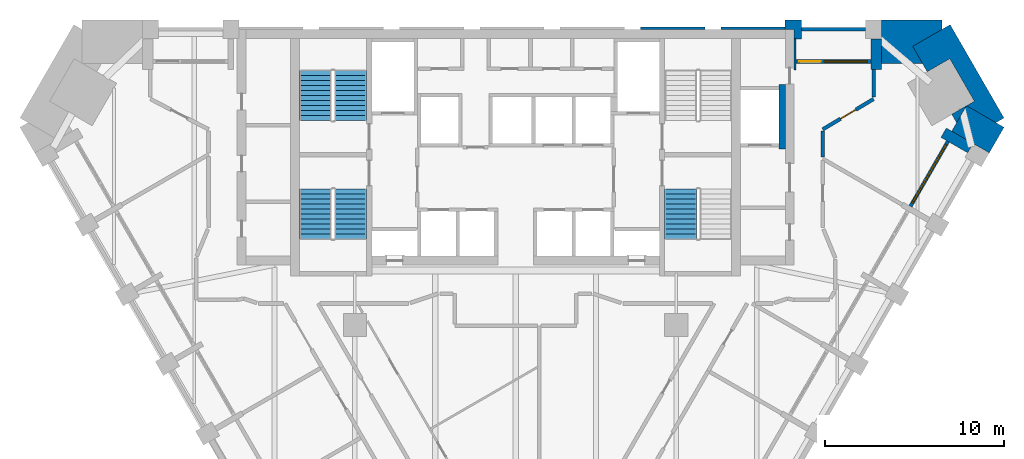
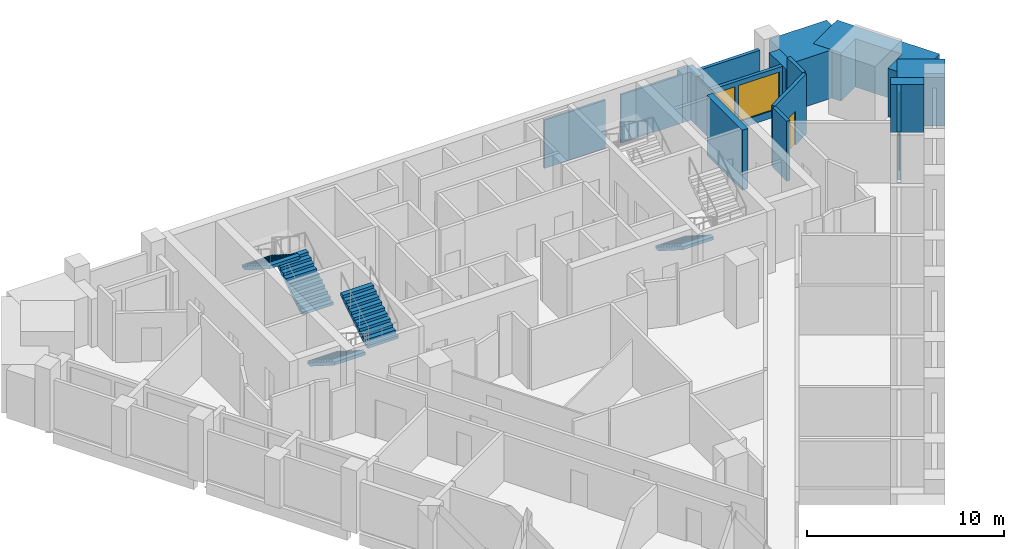
# One storey, part 8 of 10: 17 walls, 5 stair flights, 2 doors, 2 windows, 4 openings, 3 elements without a shape of their own.
"""IFC4 building model written with IfcOpenShell, lengths in metres."""

from ifc_helpers import new_model, si_unit, direction, frame, frame_2d, origin, place, context, subcontext, project, spatial, polyline, rectangle, outline, extrude, faceted_brep, source, transform, mapped, material, layer, layer_set, type_object, element, fill, aggregate, save


model = new_model("IFC4")

# Units and contexts
model_context = context("Model", 3, precision=1e-05, world=origin(), true_north=direction((0.0, 1.0)))
body_context = subcontext(model_context, "Body", "Model", "MODEL_VIEW")
ifc_project = project(units=[si_unit("LENGTHUNIT", "METRE"), si_unit("AREAUNIT", "SQUARE_METRE"), si_unit("VOLUMEUNIT", "CUBIC_METRE"), si_unit("PLANEANGLEUNIT", "RADIAN"), si_unit("MASSUNIT", "GRAM", prefix="KILO")], contexts=[model_context])

# Site, building, storey
site_placement = place(None, origin())
site = spatial("IfcSite", under=ifc_project, at=site_placement, CompositionType="ELEMENT")
building_placement = place(site_placement, origin())
building = spatial("IfcBuilding", under=site, at=building_placement, Name="Calabash Gate Tower", CompositionType="ELEMENT")
storey_placement = place(building_placement, frame((0.0, 0.0, 148.5)))
storey = spatial("IfcBuildingStorey", under=building, at=storey_placement, Name="L34", CompositionType="ELEMENT", Elevation=148.5)

# Walls
ifc_material_1 = material(Name="Terracotta brick masonry, exposed face", Category="masonry")
ifc_layer_1 = layer(ifc_material_1, 2.425048828125)
ifc_layer_set_1 = layer_set([ifc_layer_1], Name="Brick corner mass wall 2425")
wall_type_1 = type_object("IfcWallType", Name="Brick corner mass wall 2425", PredefinedType="SOLIDWALL", material=ifc_layer_set_1)
wall_1_placement = place(storey_placement, origin())
element("IfcWall", 1, at=wall_1_placement, inside=storey, type_object=wall_type_1, Name="Brick corner pier S09 3a", PredefinedType="SOLIDWALL", context=body_context, shape_type="SweptSolid", body=[
    extrude(outline(polyline([(25.24560546875, 14.77099609375), (24.425048828125, 13.349853515625), (25.6162109375, 12.662109375), (25.616455078125, 12.662109375), (26.525146484375, 12.137451171875), (27.350341796875, 13.566650390625), (25.255126953125, 14.7763671875), (25.24560546875, 14.77099609375)])), origin(), (0.0, 0.0, 1.0), 3.0),
])
wall_2_placement = place(storey_placement, origin())
element("IfcWall", 2, at=wall_2_placement, inside=storey, type_object=wall_type_1, Name="Brick corner pier S09 3ba", PredefinedType="SOLIDWALL", context=body_context, shape_type="SweptSolid", body=[
    extrude(outline(polyline([(25.24560546875, 14.77099609375), (24.429931640625, 14.300048828125), (24.701904296875, 13.8291015625), (25.24560546875, 14.77099609375)])), origin(), (0.0, 0.0, 1.0), 3.0),
])
wall_3_placement = place(storey_placement, origin())
element("IfcWall", 3, at=wall_3_placement, inside=storey, type_object=wall_type_1, Name="Brick corner pier S09 3bb", PredefinedType="SOLIDWALL", context=body_context, shape_type="SweptSolid", body=[
    extrude(outline(polyline([(24.315185546875, 17.4091796875), (25.690185546875, 15.02783203125), (25.255126953125, 14.7763671875), (26.895751953125, 13.8291015625), (27.350341796875, 14.091552734375), (24.334716796875, 19.31494140625), (22.234619140625, 18.1025390625), (23.054931640625, 16.681640625), (24.315185546875, 17.4091796875)])), origin(), (0.0, 0.0, 1.0), 3.0),
])
wall_4_placement = place(storey_placement, origin())
element("IfcWall", 4, at=wall_4_placement, inside=storey, type_object=wall_type_1, Name="Brick corner pier S09 3c", PredefinedType="SOLIDWALL", context=body_context, shape_type="SweptSolid", body=[
    extrude(outline(polyline([(20.495361328125, 18.528076171875), (20.495361328125, 17.152587890625), (22.782958984375, 17.152587890625), (22.234619140625, 18.1025390625), (23.880126953125, 19.052490234375), (23.880126953125, 19.57763671875), (20.4970703125, 19.57763671875), (20.4970703125, 18.528076171875), (20.495361328125, 18.528076171875)])), origin(), (0.0, 0.0, 1.0), 3.0),
])
ifc_material_2 = material(Name="Terracotta brick masonry, exposed face", Category="masonry")
ifc_layer_2 = layer(ifc_material_2, 1.050048828125)
ifc_layer_set_2 = layer_set([ifc_layer_2], Name="Brick end wall 1050")
wall_type_2 = type_object("IfcWallType", Name="Brick end wall 1050", PredefinedType="SOLIDWALL", material=ifc_layer_set_2)
wall_5_placement = place(storey_placement, origin())
element("IfcWall", 5, at=wall_5_placement, inside=storey, type_object=wall_type_2, Name="Brick pier S09 N6.1", PredefinedType="SOLIDWALL", context=body_context, shape_type="SweptSolid", body=[
    extrude(outline(polyline([(15.995361328125, 18.527587890625), (15.995361328125, 19.57763671875), (15.09521484375, 19.57763671875), (15.09521484375, 19.052490234375), (15.60009765625, 19.052490234375), (15.60009765625, 18.527587890625), (15.995361328125, 18.527587890625)])), origin(), (0.0, 0.0, 1.0), 3.0),
])
ifc_material_3 = material(Name="Terracotta brick masonry, exposed face", Category="masonry")
ifc_layer_3 = layer(ifc_material_3, 0.300048828125)
ifc_layer_set_3 = layer_set([ifc_layer_3], Name="Brick loggia cheek wall 300")
wall_type_3 = type_object("IfcWallType", Name="Brick loggia cheek wall 300", PredefinedType="SOLIDWALL", material=ifc_layer_set_3)
wall_6_placement = place(storey_placement, frame((25.4658203125, 12.402587890625, 0.0), z_axis=(0.0, 0.0, 1.0), x_axis=(-0.866074815912, 0.499914405916, 0.0)))
element("IfcWall", 6, at=wall_6_placement, inside=storey, type_object=wall_type_3, Name="Loggia cheek S09 SE4.8", PredefinedType="SOLIDWALL", context=body_context, shape_type="SweptSolid", body=[
    extrude(rectangle(XDim=1.724853515625, YDim=0.60009765625, at=frame_2d((0.8623046875, 0.0))), origin(), (0.0, 0.0, 1.0), 3.0),
])
wall_7_placement = place(storey_placement, origin())
element("IfcWall", 7, at=wall_7_placement, inside=storey, type_object=wall_type_3, Name="Loggia cheek S09 N6.0", PredefinedType="SOLIDWALL", context=body_context, shape_type="SweptSolid", body=[
    extrude(outline(polyline([(20.495361328125, 16.802490234375), (20.495361328125, 18.527587890625), (19.895263671875, 18.527587890625), (19.895263671875, 16.802490234375), (20.495361328125, 16.802490234375)])), origin(), (0.0, 0.0, 1.0), 3.0),
])
wall_8_placement = place(storey_placement, origin())
element("IfcWall", 8, at=wall_8_placement, inside=storey, type_object=wall_type_3, Name="Loggia cheek S09 N6.1", PredefinedType="SOLIDWALL", context=body_context, shape_type="SweptSolid", body=[
    extrude(outline(polyline([(15.6953125, 18.527587890625), (15.60009765625, 18.527587890625), (15.60009765625, 16.802490234375), (15.6953125, 16.802490234375), (15.6953125, 18.527587890625)])), origin(), (0.0, 0.0, 1.0), 3.0),
])
ifc_material_4 = material(Name="Gypsum board on steel studs, mineral wool", Category="steel")
ifc_layer_4 = layer(ifc_material_4, 0.199951171875)
ifc_layer_set_4 = layer_set([ifc_layer_4], Name="Partition 200 gypsum board EI 60")
wall_type_4 = type_object("IfcWallType", Name="Partition 200 gypsum board EI 60", PredefinedType="PARTITIONING", material=ifc_layer_set_4)
wall_9_placement = place(storey_placement, frame((17.20068359375, 13.352294921875, 0.0), z_axis=(0.0, 0.0, 1.0), x_axis=(0.000843027858, -0.999999644652, 0.0)))
element("IfcWall", 9, at=wall_9_placement, inside=storey, type_object=wall_type_4, Name="Partition", PredefinedType="PARTITIONING", context=body_context, shape_type="SweptSolid", body=[
    extrude(rectangle(XDim=1.447998046875, YDim=0.199951171875, at=frame_2d((0.72412109375, 0.0))), origin(), (0.0, 0.0, 1.0), 3.72998046875),
])

# Wall, opening, door
wall_10_placement = place(storey_placement, frame((17.200439453125, 13.452392578125, 0.0), z_axis=(0.0, 0.0, 1.0), x_axis=(0.858479307904, 0.512848201616, 0.0)))
wall_10 = element("IfcWall", 10, at=wall_10_placement, inside=storey, type_object=wall_type_4, Name="Partition", PredefinedType="PARTITIONING", context=body_context, shape_type="SweptSolid", body=[
    extrude(rectangle(XDim=3.314208984375, YDim=0.199951171875, at=frame_2d((1.6572265625, 0.0))), origin(), (0.0, 0.0, 1.0), 3.72998046875),
])
opening_1_placement = place(wall_10_placement, frame((1.1572265625, 0.0, 0.0)))
opening_1 = element("IfcOpeningElement", 11, at=opening_1_placement, cuts=wall_10, Name="Opening 33-35-014", PredefinedType="OPENING", context=body_context, shape_type="SweptSolid", body=[
    extrude(rectangle(XDim=1.0, YDim=2.10009765625, at=frame_2d((0.5, 1.050048828125))), frame((0.0, 0.10986328125, 0.0), z_axis=(0.0, -1.0, 0.0), x_axis=(1.0, 0.0, 0.0)), (0.0, 0.0, 1.0), 0.219970703125),
])
ifc_material_5 = material(Name="Steel fire door set with fire-resisting glazing", Category="steel")
door_type_1 = type_object("IfcDoorType", Name="LD2 Meeting room door 1000x2100", OperationType="NOTDEFINED", PredefinedType="DOOR", material=ifc_material_5)
door_1_placement = place(opening_1_placement, origin())
door_1 = element("IfcDoor", 12, at=door_1_placement, inside=storey, type_object=door_type_1, Name="Meeting room door", OperationType="SINGLE_SWING_LEFT", OverallHeight=2.10009765625, OverallWidth=1.0, PredefinedType="DOOR", context=body_context, shape_type="SweptSolid", body=[
    extrude(rectangle(XDim=1.0, YDim=2.10009765625, at=frame_2d((0.5, 1.050048828125))), frame((0.0, 0.02490234375, 0.0), z_axis=(0.0, -1.0, 0.0), x_axis=(1.0, 0.0, 0.0)), (0.0, 0.0, 1.0), 0.050048828125),
])
fill(opening_1, door_1)

# Walls
wall_11_placement = place(storey_placement, frame((20.045654296875, 15.252197265625, 0.0), z_axis=(0.0, 0.0, 1.0), x_axis=(0.000157480313, 0.9999999876, 0.0)))
element("IfcWall", 13, at=wall_11_placement, inside=storey, type_object=wall_type_4, Name="Partition", PredefinedType="PARTITIONING", context=body_context, shape_type="SweptSolid", body=[
    extrude(rectangle(XDim=1.55029296875, YDim=0.199951171875, at=frame_2d((0.775146484375, 0.0))), origin(), (0.0, 0.0, 1.0), 3.72998046875),
])
ifc_material_6 = material(Name="Concrete C40/50", Category="concrete")
ifc_layer_5 = layer(ifc_material_6, 0.199951171875)
ifc_layer_set_5 = layer_set([ifc_layer_5], Name="Shaft wall 200 Concrete C40/50")
wall_type_5 = type_object("IfcWallType", Name="Shaft wall 200 Concrete C40/50", PredefinedType="SOLIDWALL", material=ifc_layer_set_5)
wall_12_placement = place(storey_placement, frame((14.925048828125, 12.3525390625, 0.0), z_axis=(0.0, 0.0, 1.0), x_axis=(0.0, 1.0, 0.0)))
element("IfcWall", 14, at=wall_12_placement, inside=storey, type_object=wall_type_5, Name="Shaft wall", PredefinedType="SOLIDWALL", context=body_context, shape_type="SweptSolid", body=[
    extrude(rectangle(XDim=3.60009765625, YDim=0.35009765625, at=frame_2d((1.800048828125, 0.0))), origin(), (0.0, 0.0, 1.0), 3.72998046875),
])
ifc_material_7 = material(Name="Terracotta brick masonry, perforated", Category="masonry")
ifc_layer_6 = layer(ifc_material_7, 0.1201171875)
ifc_layer_set_6 = layer_set([ifc_layer_6], Name="Terracotta jaali cladding A 120")
wall_type_6 = type_object("IfcWallType", Name="Terracotta jaali cladding A 120", PredefinedType="SOLIDWALL", material=ifc_layer_set_6)
wall_13_placement = place(storey_placement, origin())
element("IfcWall", 15, at=wall_13_placement, inside=storey, type_object=wall_type_6, Name="Jaali cladding S09 N6.3", PredefinedType="SOLIDWALL", context=body_context, shape_type="SweptSolid", body=[
    extrude(outline(polyline([(6.995361328125, 19.172607421875), (6.995361328125, 19.052490234375), (10.59521484375, 19.052490234375), (10.59521484375, 19.172607421875), (6.995361328125, 19.172607421875)])), origin(), (0.0, 0.0, 1.0), 3.0),
])
ifc_material_8 = material(Name="Terracotta brick masonry, perforated", Category="masonry")
ifc_layer_7 = layer(ifc_material_8, 0.199951171875)
ifc_layer_set_7 = layer_set([ifc_layer_7], Name="Terracotta jaali screen A")
wall_type_7 = type_object("IfcWallType", Name="Terracotta jaali screen A", PredefinedType="SOLIDWALL", material=ifc_layer_set_7)
wall_14_placement = place(storey_placement, frame((19.59521484375, 19.052490234375, 0.0), z_axis=(0.0, 0.0, 1.0), x_axis=(-1.0, 0.0, 0.0)))
element("IfcWall", 16, at=wall_14_placement, inside=storey, type_object=wall_type_7, Name="SCREEN A S09 N6.1", PredefinedType="SOLIDWALL", context=body_context, shape_type="SweptSolid", body=[
    extrude(rectangle(XDim=3.599853515625, YDim=0.199951171875, at=frame_2d((1.7998046875, 0.0))), origin(), (0.0, 0.0, 1.0), 3.0),
])
ifc_material_9 = material(Name="Terracotta louvre blades in an aluminium frame", Category="masonry")
ifc_layer_8 = layer(ifc_material_9, 0.1201171875)
ifc_layer_set_8 = layer_set([ifc_layer_8], Name="Terracotta vent louvre cladding 120")
wall_type_8 = type_object("IfcWallType", Name="Terracotta vent louvre cladding 120", PredefinedType="ELEMENTEDWALL", material=ifc_layer_set_8)
wall_15_placement = place(storey_placement, origin())
element("IfcWall", 17, at=wall_15_placement, inside=storey, type_object=wall_type_8, Name="Vent louvre cladding S09 N6.2", PredefinedType="ELEMENTEDWALL", context=body_context, shape_type="SweptSolid", body=[
    extrude(outline(polyline([(11.495361328125, 19.172607421875), (11.495361328125, 19.052490234375), (15.0947265625, 19.052490234375), (15.0947265625, 19.172607421875), (11.495361328125, 19.172607421875)])), origin(), (0.0, 0.0, 1.0), 3.0),
])

# Wall, opening, window
ifc_material_10 = material(Name="Aluminium framed window wall with insulated spandrel", Category="aluminium")
ifc_layer_9 = layer(ifc_material_10, 0.199951171875)
ifc_layer_set_9 = layer_set([ifc_layer_9], Name="Window wall 200")
wall_type_9 = type_object("IfcWallType", Name="Window wall 200", PredefinedType="ELEMENTEDWALL", material=ifc_layer_set_9)
wall_16_placement = place(storey_placement, frame((22.111572265625, 9.142822265625, 0.0), z_axis=(0.0, 0.0, 1.0), x_axis=(0.500002543286, 0.866023935413, 0.0)))
wall_16 = element("IfcWall", 18, at=wall_16_placement, inside=storey, type_object=wall_type_9, Name="Window wall S09 SE4.8", PredefinedType="ELEMENTEDWALL", context=body_context, shape_type="SweptSolid", body=[
    extrude(rectangle(XDim=4.2001953125, YDim=0.199951171875, at=frame_2d((2.10009765625, 0.0))), origin(), (0.0, 0.0, 1.0), 3.0),
])
opening_2_placement = place(wall_16_placement, frame((0.199951171875, 0.0, 0.449951171875)))
opening_2 = element("IfcOpeningElement", 19, at=opening_2_placement, cuts=wall_16, Name="Opening OW2", PredefinedType="OPENING", context=body_context, shape_type="SweptSolid", body=[
    extrude(rectangle(XDim=3.800048828125, YDim=2.25, at=frame_2d((1.89990234375, 1.125))), frame((0.0, 0.10986328125, 0.0), z_axis=(0.0, -1.0, 0.0), x_axis=(1.0, 0.0, 0.0)), (0.0, 0.0, 1.0), 0.219970703125),
])
ifc_material_11 = material(Name="Anodised aluminium frame, bronze finish, impact-rated laminated clear glazing", Category="aluminium")
window_type_1 = type_object("IfcWindowType", Name="Window OW2 3800x2250", PartitioningType="TRIPLE_PANEL_VERTICAL", PredefinedType="WINDOW", material=ifc_material_11)
window_1_placement = place(opening_2_placement, origin())
window_1 = element("IfcWindow", 20, at=window_1_placement, inside=storey, type_object=window_type_1, Name="Window OW2 S09 SE4.8", OverallHeight=2.25, OverallWidth=3.800048828125, PartitioningType="SINGLE_PANEL", PredefinedType="WINDOW", context=body_context, shape_type="SweptSolid", body=[
    extrude(rectangle(XDim=3.800048828125, YDim=2.25, at=frame_2d((1.89990234375, 1.125))), frame((0.0, 0.030029296875, 0.0), z_axis=(0.0, -1.0, 0.0), x_axis=(1.0, 0.0, 0.0)), (0.0, 0.0, 1.0), 0.06005859375),
])
fill(opening_2, window_1)

# Wall, openings, door, window
wall_17_placement = place(storey_placement, frame((19.895263671875, 17.25244140625, 0.0), z_axis=(0.0, 0.0, 1.0), x_axis=(-1.0, 0.0, 0.0)))
wall_17 = element("IfcWall", 21, at=wall_17_placement, inside=storey, type_object=wall_type_9, Name="Window wall S09 N6.1", PredefinedType="ELEMENTEDWALL", context=body_context, shape_type="SweptSolid", body=[
    extrude(rectangle(XDim=4.199951171875, YDim=0.199951171875, at=frame_2d((2.10009765625, 0.0))), origin(), (0.0, 0.0, 1.0), 3.0),
])
opening_3_placement = place(wall_17_placement, frame((0.199951171875, 0.0, 0.449951171875)))
opening_3 = element("IfcOpeningElement", 22, at=opening_3_placement, cuts=wall_17, Name="Opening OW1", PredefinedType="OPENING", context=body_context, shape_type="SweptSolid", body=[
    extrude(rectangle(XDim=2.39990234375, YDim=2.25, at=frame_2d((1.199951171875, 1.125))), frame((0.0, 0.10986328125, 0.0), z_axis=(0.0, -1.0, 0.0), x_axis=(1.0, 0.0, 0.0)), (0.0, 0.0, 1.0), 0.219970703125),
])
opening_4_placement = place(wall_17_placement, frame((2.800048828125, 0.0, 0.0)))
opening_4 = element("IfcOpeningElement", 23, at=opening_4_placement, cuts=wall_17, Name="Opening O1-020", PredefinedType="OPENING", context=body_context, shape_type="SweptSolid", body=[
    extrude(rectangle(XDim=1.199951171875, YDim=2.699951171875, at=frame_2d((0.60009765625, 1.35009765625))), frame((0.0, 0.10986328125, 0.0), z_axis=(0.0, -1.0, 0.0), x_axis=(1.0, 0.0, 0.0)), (0.0, 0.0, 1.0), 0.219970703125),
])
ifc_material_12 = material(Name="Anodised aluminium frame, bronze finish, impact-rated laminated clear glazing", Category="aluminium")
door_type_2 = type_object("IfcDoorType", Name="Loggia door DO1 1200x2700", OperationType="SLIDING_TO_LEFT", PredefinedType="DOOR", material=ifc_material_12)
door_2_placement = place(opening_4_placement, origin())
door_2 = element("IfcDoor", 24, at=door_2_placement, inside=storey, type_object=door_type_2, Name="Loggia door S09 N6.1", OperationType="SINGLE_SWING_LEFT", OverallHeight=2.699951171875, OverallWidth=1.199951171875, PredefinedType="DOOR", context=body_context, shape_type="SweptSolid", body=[
    extrude(rectangle(XDim=1.199951171875, YDim=2.699951171875, at=frame_2d((0.60009765625, 1.35009765625))), frame((0.0, 0.02490234375, 0.0), z_axis=(0.0, -1.0, 0.0), x_axis=(1.0, 0.0, 0.0)), (0.0, 0.0, 1.0), 0.050048828125),
])
fill(opening_4, door_2)
ifc_material_13 = material(Name="Anodised aluminium frame, bronze finish, impact-rated laminated clear glazing", Category="aluminium")
window_type_2 = type_object("IfcWindowType", Name="Window OW1 2400x2250", PartitioningType="DOUBLE_PANEL_VERTICAL", PredefinedType="WINDOW", material=ifc_material_13)
window_2_placement = place(opening_3_placement, origin())
window_2 = element("IfcWindow", 25, at=window_2_placement, inside=storey, type_object=window_type_2, Name="Window OW1 S09 N6.1", OverallHeight=2.25, OverallWidth=2.39990234375, PartitioningType="SINGLE_PANEL", PredefinedType="WINDOW", context=body_context, shape_type="SweptSolid", body=[
    extrude(rectangle(XDim=2.39990234375, YDim=2.25, at=frame_2d((1.199951171875, 1.125))), frame((0.0, 0.030029296875, 0.0), z_axis=(0.0, -1.0, 0.0), x_axis=(1.0, 0.0, 0.0)), (0.0, 0.0, 1.0), 0.06005859375),
])
fill(opening_3, window_2)

# Stair, stair flights
ifc_material_14 = material(Name="Concrete C40/50", Category="concrete")
stair_type = type_object("IfcStairType", Name="Exit stair 22 risers of 177.3 mm", PredefinedType="HALF_TURN_STAIR", material=ifc_material_14)
stair_1_placement = place(storey_placement, origin())
stair_1 = element("IfcStair", 26, at=stair_1_placement, inside=storey, type_object=stair_type, Name="L34 Exit stair ST1", PredefinedType="HALF_TURN_STAIR")
ifc_material_15 = material(Name="Concrete C40/50", Category="concrete")
stair_flight_type = type_object("IfcStairFlightType", Name="Exit stair flight SFL", PredefinedType="STRAIGHT", material=ifc_material_15)
shared_shape = source(origin(), body_context, "Body", "Brep", [
    faceted_brep([(-0.0009765625, -0.89990234375, 0.0), (0.279541015625, -0.89990234375, 0.0), (2.791015625, -0.89990234375, 1.59521484375), (-0.0009765625, 0.89990234375, 0.0), (2.791015625, 0.89990234375, 1.59521484375), (0.279541015625, 0.89990234375, 0.0), (2.791015625, -0.89990234375, 1.78466796875), (2.7900390625, -0.89990234375, 1.78466796875), (2.7900390625, 0.89990234375, 1.78466796875), (2.791015625, 0.89990234375, 1.78466796875), (2.7900390625, -0.89990234375, 1.772705078125), (2.7900390625, 0.89990234375, 1.772705078125), (2.510986328125, -0.89990234375, 1.772705078125), (2.510986328125, 0.89990234375, 1.772705078125), (2.510986328125, -0.89990234375, 1.595458984375), (2.510986328125, 0.89990234375, 1.595458984375), (2.23193359375, -0.89990234375, 1.595458984375), (2.23193359375, 0.89990234375, 1.595458984375), (2.23193359375, -0.89990234375, 1.418212890625), (2.23193359375, 0.89990234375, 1.418212890625), (1.952880859375, -0.89990234375, 1.418212890625), (1.952880859375, -0.89990234375, 1.240966796875), (1.952880859375, 0.89990234375, 1.240966796875), (1.952880859375, 0.89990234375, 1.418212890625), (1.674072265625, -0.89990234375, 1.240966796875), (1.674072265625, -0.89990234375, 1.063720703125), (1.674072265625, 0.89990234375, 1.063720703125), (1.674072265625, 0.89990234375, 1.240966796875), (1.39501953125, -0.89990234375, 1.063720703125), (1.39501953125, -0.89990234375, 0.886474609375), (1.39501953125, 0.89990234375, 0.886474609375), (1.39501953125, 0.89990234375, 1.063720703125), (1.115966796875, -0.89990234375, 0.886474609375), (1.115966796875, -0.89990234375, 0.708984375), (1.115966796875, 0.89990234375, 0.708984375), (1.115966796875, 0.89990234375, 0.886474609375), (0.8369140625, -0.89990234375, 0.708984375), (0.8369140625, -0.89990234375, 0.53173828125), (0.8369140625, 0.89990234375, 0.53173828125), (0.8369140625, 0.89990234375, 0.708984375), (0.55810546875, -0.89990234375, 0.53173828125), (0.55810546875, -0.89990234375, 0.3544921875), (0.55810546875, 0.89990234375, 0.3544921875), (0.55810546875, 0.89990234375, 0.53173828125), (0.279052734375, -0.89990234375, 0.3544921875), (0.279052734375, -0.89990234375, 0.17724609375), (0.279052734375, 0.89990234375, 0.17724609375), (0.279052734375, 0.89990234375, 0.3544921875), (-0.0009765625, -0.89990234375, 0.17724609375), (-0.0009765625, 0.89990234375, 0.17724609375), (0.279541015625, -0.360107421875, 0.0), (2.791015625, -0.360107421875, 1.59521484375), (0.279541015625, 0.0, 0.0), (2.791015625, 0.0, 1.59521484375), (0.279541015625, 0.360107421875, 0.0), (2.791015625, 0.360107421875, 1.59521484375), (2.791015625, -0.360107421875, 1.78466796875), (2.791015625, 0.0, 1.78466796875), (2.791015625, 0.360107421875, 1.78466796875), (2.7900390625, -0.360107421875, 1.78466796875), (2.7900390625, 0.0, 1.78466796875), (2.7900390625, 0.360107421875, 1.78466796875), (2.7900390625, -0.360107421875, 1.772705078125), (2.7900390625, 0.0, 1.772705078125), (2.7900390625, 0.360107421875, 1.772705078125), (2.510986328125, -0.360107421875, 1.772705078125), (2.510986328125, 0.0, 1.772705078125), (2.510986328125, 0.360107421875, 1.772705078125), (2.510986328125, -0.360107421875, 1.595458984375), (2.510986328125, 0.0, 1.595458984375), (2.510986328125, 0.360107421875, 1.595458984375), (2.23193359375, -0.360107421875, 1.595458984375), (2.23193359375, 0.0, 1.595458984375), (2.23193359375, 0.360107421875, 1.595458984375), (2.23193359375, -0.360107421875, 1.418212890625), (2.23193359375, 0.0, 1.418212890625), (2.23193359375, 0.360107421875, 1.418212890625), (1.952880859375, -0.360107421875, 1.418212890625), (1.952880859375, 0.0, 1.418212890625), (1.952880859375, 0.360107421875, 1.418212890625), (1.952880859375, -0.360107421875, 1.240966796875), (1.952880859375, 0.0, 1.240966796875), (1.952880859375, 0.360107421875, 1.240966796875), (1.674072265625, -0.360107421875, 1.240966796875), (1.674072265625, 0.0, 1.240966796875), (1.674072265625, 0.360107421875, 1.240966796875), (1.674072265625, -0.360107421875, 1.063720703125), (1.674072265625, 0.0, 1.063720703125), (1.674072265625, 0.360107421875, 1.063720703125), (1.39501953125, -0.360107421875, 1.063720703125), (1.39501953125, 0.0, 1.063720703125), (1.39501953125, 0.360107421875, 1.063720703125), (1.39501953125, -0.360107421875, 0.886474609375), (1.39501953125, 0.0, 0.886474609375), (1.39501953125, 0.360107421875, 0.886474609375), (1.115966796875, -0.360107421875, 0.886474609375), (1.115966796875, 0.0, 0.886474609375), (1.115966796875, 0.360107421875, 0.886474609375), (1.115966796875, -0.360107421875, 0.708984375), (1.115966796875, 0.0, 0.708984375), (1.115966796875, 0.360107421875, 0.708984375), (0.8369140625, -0.360107421875, 0.708984375), (0.8369140625, 0.0, 0.708984375), (0.8369140625, 0.360107421875, 0.708984375), (0.8369140625, -0.360107421875, 0.53173828125), (0.8369140625, 0.0, 0.53173828125), (0.8369140625, 0.360107421875, 0.53173828125), (0.55810546875, -0.360107421875, 0.53173828125), (0.55810546875, 0.0, 0.53173828125), (0.55810546875, 0.360107421875, 0.53173828125), (0.55810546875, -0.360107421875, 0.3544921875), (0.55810546875, 0.0, 0.3544921875), (0.55810546875, 0.360107421875, 0.3544921875), (0.279052734375, -0.360107421875, 0.3544921875), (0.279052734375, 0.0, 0.3544921875), (0.279052734375, 0.360107421875, 0.3544921875), (0.279052734375, -0.360107421875, 0.17724609375), (0.279052734375, 0.0, 0.17724609375), (0.279052734375, 0.360107421875, 0.17724609375), (-0.0009765625, -0.360107421875, 0.17724609375), (-0.0009765625, 0.0, 0.17724609375), (-0.0009765625, 0.360107421875, 0.17724609375), (-0.0009765625, -0.360107421875, 0.0), (-0.0009765625, 0.0, 0.0), (-0.0009765625, 0.360107421875, 0.0)], [[[0, 1, 2]], [[3, 4, 5]], [[2, 6, 7]], [[4, 8, 9]], [[2, 7, 10]], [[4, 11, 8]], [[2, 10, 12]], [[4, 13, 11]], [[2, 12, 14]], [[4, 15, 13]], [[2, 14, 16]], [[4, 17, 15]], [[2, 16, 18]], [[4, 19, 17]], [[18, 20, 21]], [[19, 22, 23]], [[2, 18, 21]], [[4, 22, 19]], [[21, 24, 25]], [[22, 26, 27]], [[2, 21, 25]], [[4, 26, 22]], [[25, 28, 29]], [[26, 30, 31]], [[2, 25, 29]], [[4, 30, 26]], [[29, 32, 33]], [[30, 34, 35]], [[2, 29, 33]], [[4, 34, 30]], [[33, 36, 37]], [[34, 38, 39]], [[2, 33, 37]], [[4, 38, 34]], [[37, 40, 41]], [[38, 42, 43]], [[2, 37, 41]], [[4, 42, 38]], [[41, 44, 45]], [[42, 46, 47]], [[2, 41, 45]], [[4, 46, 42]], [[0, 2, 45]], [[3, 46, 4]], [[45, 48, 0]], [[46, 3, 49]], [[1, 50, 2]], [[50, 51, 2]], [[50, 52, 51]], [[52, 53, 51]], [[52, 54, 55]], [[52, 55, 53]], [[54, 5, 4]], [[54, 4, 55]], [[2, 51, 6]], [[51, 56, 6]], [[51, 53, 56]], [[53, 57, 56]], [[53, 55, 58]], [[53, 58, 57]], [[55, 4, 9]], [[55, 9, 58]], [[6, 56, 7]], [[56, 59, 7]], [[56, 57, 59]], [[57, 60, 59]], [[57, 58, 61]], [[57, 61, 60]], [[58, 9, 8]], [[58, 8, 61]], [[7, 59, 10]], [[59, 62, 10]], [[59, 60, 62]], [[60, 63, 62]], [[60, 61, 64]], [[60, 64, 63]], [[61, 8, 11]], [[61, 11, 64]], [[10, 62, 12]], [[62, 65, 12]], [[62, 63, 65]], [[63, 66, 65]], [[63, 64, 67]], [[63, 67, 66]], [[64, 11, 13]], [[64, 13, 67]], [[12, 65, 14]], [[65, 68, 14]], [[65, 66, 68]], [[66, 69, 68]], [[66, 67, 70]], [[66, 70, 69]], [[67, 13, 15]], [[67, 15, 70]], [[14, 68, 16]], [[68, 71, 16]], [[68, 69, 71]], [[69, 72, 71]], [[69, 70, 73]], [[69, 73, 72]], [[70, 15, 17]], [[70, 17, 73]], [[16, 71, 18]], [[71, 74, 18]], [[71, 72, 74]], [[72, 75, 74]], [[72, 73, 76]], [[72, 76, 75]], [[73, 17, 19]], [[73, 19, 76]], [[18, 74, 20]], [[74, 77, 20]], [[74, 75, 77]], [[75, 78, 77]], [[75, 76, 79]], [[75, 79, 78]], [[76, 19, 23]], [[76, 23, 79]], [[20, 77, 21]], [[77, 80, 21]], [[77, 78, 80]], [[78, 81, 80]], [[78, 79, 82]], [[78, 82, 81]], [[79, 23, 22]], [[79, 22, 82]], [[21, 80, 24]], [[80, 83, 24]], [[80, 81, 83]], [[81, 84, 83]], [[81, 82, 85]], [[81, 85, 84]], [[82, 22, 27]], [[82, 27, 85]], [[24, 83, 25]], [[83, 86, 25]], [[83, 84, 86]], [[84, 87, 86]], [[84, 85, 88]], [[84, 88, 87]], [[85, 27, 26]], [[85, 26, 88]], [[25, 86, 28]], [[86, 89, 28]], [[86, 87, 89]], [[87, 90, 89]], [[87, 88, 91]], [[87, 91, 90]], [[88, 26, 31]], [[88, 31, 91]], [[28, 89, 29]], [[89, 92, 29]], [[89, 90, 92]], [[90, 93, 92]], [[90, 91, 94]], [[90, 94, 93]], [[91, 31, 30]], [[91, 30, 94]], [[29, 92, 32]], [[92, 95, 32]], [[92, 93, 95]], [[93, 96, 95]], [[93, 94, 97]], [[93, 97, 96]], [[94, 30, 35]], [[94, 35, 97]], [[32, 95, 33]], [[95, 98, 33]], [[95, 96, 98]], [[96, 99, 98]], [[96, 97, 100]], [[96, 100, 99]], [[97, 35, 34]], [[97, 34, 100]], [[33, 98, 36]], [[98, 101, 36]], [[98, 99, 101]], [[99, 102, 101]], [[99, 100, 103]], [[99, 103, 102]], [[100, 34, 39]], [[100, 39, 103]], [[36, 101, 37]], [[101, 104, 37]], [[101, 102, 104]], [[102, 105, 104]], [[102, 103, 106]], [[102, 106, 105]], [[103, 39, 38]], [[103, 38, 106]], [[37, 104, 40]], [[104, 107, 40]], [[104, 105, 107]], [[105, 108, 107]], [[105, 106, 109]], [[105, 109, 108]], [[106, 38, 43]], [[106, 43, 109]], [[40, 107, 41]], [[107, 110, 41]], [[107, 108, 110]], [[108, 111, 110]], [[108, 109, 112]], [[108, 112, 111]], [[109, 43, 42]], [[109, 42, 112]], [[41, 110, 44]], [[110, 113, 44]], [[110, 111, 113]], [[111, 114, 113]], [[111, 112, 115]], [[111, 115, 114]], [[112, 42, 47]], [[112, 47, 115]], [[44, 113, 45]], [[113, 116, 45]], [[113, 114, 116]], [[114, 117, 116]], [[114, 115, 118]], [[114, 118, 117]], [[115, 47, 46]], [[115, 46, 118]], [[45, 116, 48]], [[116, 119, 48]], [[116, 117, 119]], [[117, 120, 119]], [[117, 118, 121]], [[117, 121, 120]], [[118, 46, 49]], [[118, 49, 121]], [[48, 119, 0]], [[119, 122, 0]], [[119, 120, 122]], [[120, 123, 122]], [[120, 121, 124]], [[120, 124, 123]], [[121, 49, 3]], [[121, 3, 124]], [[0, 122, 1]], [[122, 50, 1]], [[122, 123, 50]], [[123, 52, 50]], [[123, 124, 54]], [[123, 54, 52]], [[124, 3, 5]], [[124, 5, 54]]]),
])
stair_flight_1_placement = place(storey_placement, frame((-9.25, 13.95263671875, 0.0), z_axis=(0.0, 0.0, 1.0), x_axis=(0.0, 1.0, 0.0)))
stair_flight_1 = element("IfcStairFlight", 27, at=stair_flight_1_placement, type_object=stair_flight_type, Name="ST1 flight 1", NumberOfRisers=11, NumberOfTreads=10, PredefinedType="STRAIGHT", RiserHeight=0.177272727, TreadLength=0.279, context=body_context, shape_type="MappedRepresentation", body=[
    mapped(shared_shape, transform((0.0, 0.0, 0.0), scale=1.0)),
])
stair_flight_2_placement = place(storey_placement, frame((-11.199951171875, 16.74267578125, 1.949951171875), z_axis=(0.0, 0.0, 1.0), x_axis=(0.0, -1.0, 0.0)))
stair_flight_2 = element("IfcStairFlight", 28, at=stair_flight_2_placement, type_object=stair_flight_type, Name="ST1 flight 2", NumberOfRisers=11, NumberOfTreads=10, PredefinedType="STRAIGHT", RiserHeight=0.177272727, TreadLength=0.279, context=body_context, shape_type="MappedRepresentation", body=[
    mapped(shared_shape, transform((0.0, 0.0, 0.0), scale=1.0)),
])
aggregate(stair_1, [stair_flight_1, stair_flight_2])

stair_2_placement = place(storey_placement, origin())
stair_2 = element("IfcStair", 29, at=stair_2_placement, inside=storey, type_object=stair_type, Name="L34 Exit stair ST2", PredefinedType="HALF_TURN_STAIR")
stair_flight_3_placement = place(storey_placement, frame((-11.199951171875, 10.1025390625, 0.0), z_axis=(0.0, 0.0, 1.0), x_axis=(0.0, -1.0, 0.0)))
stair_flight_3 = element("IfcStairFlight", 30, at=stair_flight_3_placement, type_object=stair_flight_type, Name="ST2 flight 1", NumberOfRisers=11, NumberOfTreads=10, PredefinedType="STRAIGHT", RiserHeight=0.177272727, TreadLength=0.279, context=body_context, shape_type="MappedRepresentation", body=[
    mapped(shared_shape, transform((0.0, 0.0, 0.0), scale=1.0)),
])
stair_flight_4_placement = place(storey_placement, frame((-9.25, 7.3125, 1.949951171875), z_axis=(0.0, 0.0, 1.0), x_axis=(0.0, 1.0, 0.0)))
stair_flight_4 = element("IfcStairFlight", 31, at=stair_flight_4_placement, type_object=stair_flight_type, Name="ST2 flight 2", NumberOfRisers=11, NumberOfTreads=10, PredefinedType="STRAIGHT", RiserHeight=0.177272727, TreadLength=0.279, context=body_context, shape_type="MappedRepresentation", body=[
    mapped(shared_shape, transform((0.0, 0.0, 0.0), scale=1.0)),
])
aggregate(stair_2, [stair_flight_3, stair_flight_4])

# Stair, stair flight
stair_3_placement = place(storey_placement, origin())
stair_3 = element("IfcStair", 32, at=stair_3_placement, inside=storey, type_object=stair_type, Name="L34 Exit stair ST4", PredefinedType="HALF_TURN_STAIR")
stair_flight_5_placement = place(storey_placement, frame((9.25, 10.1025390625, 0.0), z_axis=(0.0, 0.0, 1.0), x_axis=(0.0, -1.0, 0.0)))
stair_flight_5 = element("IfcStairFlight", 33, at=stair_flight_5_placement, type_object=stair_flight_type, Name="ST4 flight 1", NumberOfRisers=11, NumberOfTreads=10, PredefinedType="STRAIGHT", RiserHeight=0.177272727, TreadLength=0.279, context=body_context, shape_type="MappedRepresentation", body=[
    mapped(shared_shape, transform((0.0, 0.0, 0.0), scale=1.0)),
])
aggregate(stair_3, [stair_flight_5])

save(model, "model.ifc")
